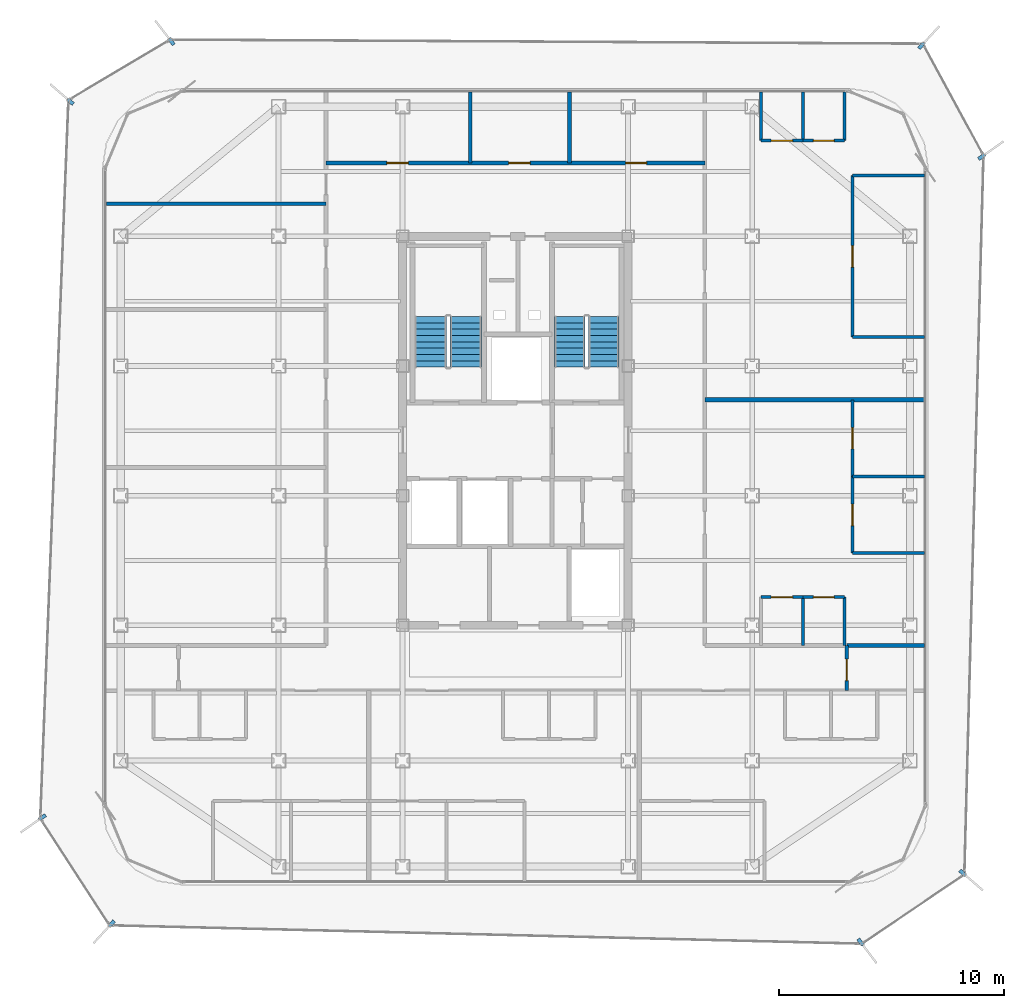
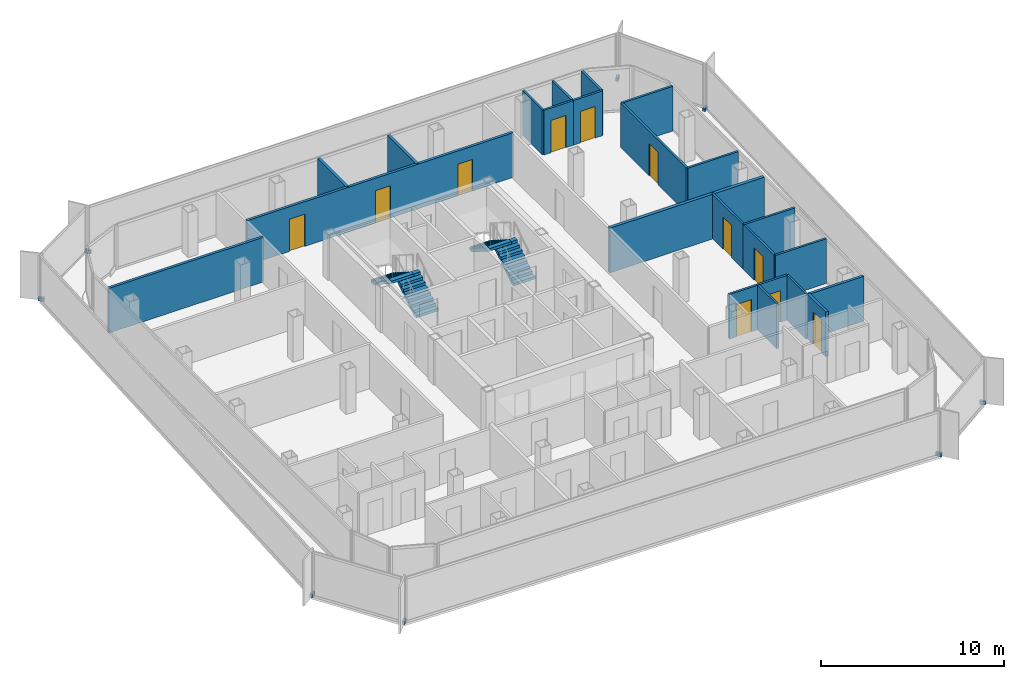
# One storey, part 12 of 15: 23 walls, 11 doors, 8 discrete accessories, 4 stair flights, 11 openings, 2 elements without a shape of their own.
"""IFC4 building model written with IfcOpenShell, lengths in metres."""

from ifc_helpers import new_model, si_unit, direction, frame, frame_2d, origin, origin_2d, place, context, subcontext, project, spatial, polyline, rectangle, outline, extrude, source, transform, mapped, material, layer, layer_set, type_object, element, fill, aggregate, save


model = new_model("IFC4")

# Units and contexts
model_context = context("Model", 3, precision=1e-05, world=origin(), true_north=direction((0.0, 1.0)))
body_context = subcontext(model_context, "Body", "Model", "MODEL_VIEW")
ifc_project = project(units=[si_unit("LENGTHUNIT", "METRE"), si_unit("AREAUNIT", "SQUARE_METRE"), si_unit("VOLUMEUNIT", "CUBIC_METRE"), si_unit("PLANEANGLEUNIT", "RADIAN"), si_unit("MASSUNIT", "GRAM", prefix="KILO")], contexts=[model_context])

# Site, building, storey
site_placement = place(None, origin())
site = spatial("IfcSite", under=ifc_project, at=site_placement, CompositionType="ELEMENT")
building_placement = place(site_placement, origin())
building = spatial("IfcBuilding", under=site, at=building_placement, Name="Kolveth Station Tower", CompositionType="ELEMENT")
storey_placement = place(building_placement, frame((0.0, 0.0, 252.10009765625)))
storey = spatial("IfcBuildingStorey", under=building, at=storey_placement, Name="L72", CompositionType="ELEMENT", Elevation=252.10009765625)

# Wall, opening, door
ifc_material_1 = material(Name="Moisture-resistant gypsum partition")
ifc_layer_1 = layer(ifc_material_1, 0.135009765625)
ifc_layer_set_1 = layer_set([ifc_layer_1], Name="Moisture-resistant gypsum partition")
wall_type_1 = type_object("IfcWallType", Name="Wall_IW-135", PredefinedType="PARTITIONING", material=ifc_layer_set_1)
wall_1_placement = place(storey_placement, frame((34.39990234375, 12.75, 0.0), z_axis=(0.0, 0.0, 1.0), x_axis=(1.0, 0.0, 0.0)))
wall_1 = element("IfcWall", 1, at=wall_1_placement, inside=storey, type_object=wall_type_1, Name="L72 Partition Wall WL-L72-E1-IBHK", PredefinedType="PARTITIONING", context=body_context, shape_type="SweptSolid", body=[
    extrude(rectangle(XDim=1.85009765625, YDim=0.135009765625, at=frame_2d((0.925048828125, 0.0))), origin(), (0.0, 0.0, 1.0), 2.97998046875),
])
opening_1_placement = place(wall_1_placement, frame((0.445068359375, 0.0, 0.0)))
opening_1 = element("IfcOpeningElement", 2, at=opening_1_placement, cuts=wall_1, Name="Opening ID1", PredefinedType="OPENING", context=body_context, shape_type="SweptSolid", body=[
    extrude(rectangle(XDim=0.949951171875, YDim=2.14990234375, at=frame_2d((0.47509765625, 1.074951171875))), frame((0.0, 0.077392578125, 0.0), z_axis=(0.0, -1.0, 0.0), x_axis=(1.0, 0.0, 0.0)), (0.0, 0.0, 1.0), 0.155029296875),
])
ifc_material_2 = material(Name="Acoustic hardwood leaf and aluminium frame", Category="wood")
door_type_1 = type_object("IfcDoorType", Name="Door_ID1", OperationType="NOTDEFINED", PredefinedType="DOOR", material=ifc_material_2)
door_1_placement = place(opening_1_placement, origin())
door_1 = element("IfcDoor", 3, at=door_1_placement, inside=storey, type_object=door_type_1, Name="Penthouse Flat L72-E1 Kitchen Door", OperationType="SINGLE_SWING_RIGHT", OverallHeight=2.14990234375, OverallWidth=0.949951171875, PredefinedType="DOOR", context=body_context, shape_type="SweptSolid", body=[
    extrude(rectangle(XDim=0.949951171875, YDim=2.14990234375, at=frame_2d((0.47509765625, 1.074951171875))), frame((0.0, 0.02490234375, 0.0), z_axis=(0.0, -1.0, 0.0), x_axis=(1.0, 0.0, 0.0)), (0.0, 0.0, 1.0), 0.050048828125),
])
fill(opening_1, door_1)

wall_2_placement = place(storey_placement, frame((36.25, 12.75, 0.0), z_axis=(0.0, 0.0, 1.0), x_axis=(1.0, 0.0, 0.0)))
wall_2 = element("IfcWall", 4, at=wall_2_placement, inside=storey, type_object=wall_type_1, Name="L72 Partition Wall WL-L72-E1-IBHB", PredefinedType="PARTITIONING", context=body_context, shape_type="SweptSolid", body=[
    extrude(rectangle(XDim=1.85009765625, YDim=0.135009765625, at=frame_2d((0.925048828125, 0.0))), origin(), (0.0, 0.0, 1.0), 2.97998046875),
])
opening_2_placement = place(wall_2_placement, frame((0.465087890625, 0.0, 0.0)))
opening_2 = element("IfcOpeningElement", 5, at=opening_2_placement, cuts=wall_2, Name="Opening ID2", PredefinedType="OPENING", context=body_context, shape_type="SweptSolid", body=[
    extrude(rectangle(XDim=0.919921875, YDim=2.10009765625, at=frame_2d((0.4599609375, 1.050048828125))), frame((0.0, 0.077392578125, 0.0), z_axis=(0.0, -1.0, 0.0), x_axis=(1.0, 0.0, 0.0)), (0.0, 0.0, 1.0), 0.155029296875),
])
ifc_material_3 = material(Name="Moisture-resistant hardwood leaf", Category="wood")
door_type_2 = type_object("IfcDoorType", Name="Door_ID2", OperationType="NOTDEFINED", PredefinedType="DOOR", material=ifc_material_3)
door_2_placement = place(opening_2_placement, origin())
door_2 = element("IfcDoor", 6, at=door_2_placement, inside=storey, type_object=door_type_2, Name="Penthouse Flat L72-E1 Bathroom Door", OperationType="SINGLE_SWING_LEFT", OverallHeight=2.10009765625, OverallWidth=0.919921875, PredefinedType="DOOR", context=body_context, shape_type="SweptSolid", body=[
    extrude(rectangle(XDim=0.919921875, YDim=2.10009765625, at=frame_2d((0.4599609375, 1.050048828125))), frame((0.0, 0.02490234375, 0.0), z_axis=(0.0, -1.0, 0.0), x_axis=(1.0, 0.0, 0.0)), (0.0, 0.0, 1.0), 0.050048828125),
])
fill(opening_2, door_2)

# Walls
for number, where, z_axis, x_axis, name in (
    (7, (36.25, 10.60009765625, 0.0), (0.0, 0.0, 1.0), (0.0, 1.0, 0.0), "L72 Partition Wall WL-L72-E1-IBV1"),
    (8, (38.10009765625, 10.60009765625, 0.0), (0.0, 0.0, 1.0), (0.0, 1.0, 0.0), "L72 Partition Wall WL-L72-E1-IBV2"),
):
    element("IfcWall", number, at=place(storey_placement, frame(where, z_axis=z_axis, x_axis=x_axis)), inside=storey, type_object=wall_type_1, Name=name, PredefinedType="PARTITIONING", context=body_context, shape_type="SweptSolid", body=[
        extrude(rectangle(XDim=2.14990234375, YDim=0.135009765625, at=frame_2d((1.074951171875, 0.0))), origin(), (0.0, 0.0, 1.0), 2.97998046875),
    ])
wall_3_placement = place(storey_placement, frame((38.449951171875, 14.699951171875, 0.0), z_axis=(0.0, 0.0, 1.0), x_axis=(1.0, 0.0, 0.0)))
element("IfcWall", 9, at=wall_3_placement, inside=storey, type_object=wall_type_1, Name="L72 Partition Wall WL-L72-E1-BDH0", PredefinedType="PARTITIONING", context=body_context, shape_type="SweptSolid", body=[
    extrude(rectangle(XDim=3.18994140625, YDim=0.135009765625, at=frame_2d((1.594970703125, 0.0))), origin(), (0.0, 0.0, 1.0), 2.97998046875),
])

# Wall, opening, door
wall_4_placement = place(storey_placement, frame((38.449951171875, 14.699951171875, 0.0), z_axis=(0.0, 0.0, 1.0), x_axis=(0.0, 1.0, 0.0)))
wall_4 = element("IfcWall", 10, at=wall_4_placement, inside=storey, type_object=wall_type_1, Name="L72 Partition Wall WL-L72-E1-BDV1", PredefinedType="PARTITIONING", context=body_context, shape_type="SweptSolid", body=[
    extrude(rectangle(XDim=3.400146484375, YDim=0.135009765625, at=frame_2d((1.7001953125, 0.0))), origin(), (0.0, 0.0, 1.0), 2.97998046875),
])
opening_3_placement = place(wall_4_placement, frame((1.219970703125, 0.0, 0.0)))
opening_3 = element("IfcOpeningElement", 11, at=opening_3_placement, cuts=wall_4, Name="Opening ID1", PredefinedType="OPENING", context=body_context, shape_type="SweptSolid", body=[
    extrude(rectangle(XDim=0.949951171875, YDim=2.14990234375, at=frame_2d((0.47509765625, 1.074951171875))), frame((0.0, 0.077392578125, 0.0), z_axis=(0.0, -1.0, 0.0), x_axis=(1.0, 0.0, 0.0)), (0.0, 0.0, 1.0), 0.155029296875),
])
door_3_placement = place(opening_3_placement, frame((0.949951171875, 0.0, 0.0), z_axis=(0.0, 0.0, 1.0), x_axis=(-1.0, 0.0, 0.0)))
door_3 = element("IfcDoor", 12, at=door_3_placement, inside=storey, type_object=door_type_1, Name="Penthouse Flat L72-E1 Bedroom 1 Door", OperationType="SINGLE_SWING_RIGHT", OverallHeight=2.14990234375, OverallWidth=0.949951171875, PredefinedType="DOOR", context=body_context, shape_type="SweptSolid", body=[
    extrude(rectangle(XDim=0.949951171875, YDim=2.14990234375, at=frame_2d((0.47509765625, 1.074951171875))), frame((0.0, 0.02490234375, 0.0), z_axis=(0.0, -1.0, 0.0), x_axis=(1.0, 0.0, 0.0)), (0.0, 0.0, 1.0), 0.050048828125),
])
fill(opening_3, door_3)

wall_5_placement = place(storey_placement, frame((38.449951171875, 18.10009765625, 0.0), z_axis=(0.0, 0.0, 1.0), x_axis=(0.0, 1.0, 0.0)))
wall_5 = element("IfcWall", 13, at=wall_5_placement, inside=storey, type_object=wall_type_1, Name="L72 Partition Wall WL-L72-E1-BDV2", PredefinedType="PARTITIONING", context=body_context, shape_type="SweptSolid", body=[
    extrude(rectangle(XDim=3.39990234375, YDim=0.135009765625, at=frame_2d((1.699951171875, 0.0))), origin(), (0.0, 0.0, 1.0), 2.97998046875),
])
opening_4_placement = place(wall_5_placement, frame((1.219970703125, 0.0, 0.0)))
opening_4 = element("IfcOpeningElement", 14, at=opening_4_placement, cuts=wall_5, Name="Opening ID1", PredefinedType="OPENING", context=body_context, shape_type="SweptSolid", body=[
    extrude(rectangle(XDim=0.949951171875, YDim=2.14990234375, at=frame_2d((0.47509765625, 1.074951171875))), frame((0.0, 0.077392578125, 0.0), z_axis=(0.0, -1.0, 0.0), x_axis=(1.0, 0.0, 0.0)), (0.0, 0.0, 1.0), 0.155029296875),
])
door_4_placement = place(opening_4_placement, frame((0.949951171875, 0.0, 0.0), z_axis=(0.0, 0.0, 1.0), x_axis=(-1.0, 0.0, 0.0)))
door_4 = element("IfcDoor", 15, at=door_4_placement, inside=storey, type_object=door_type_1, Name="Penthouse Flat L72-E1 Bedroom 2 Door", OperationType="SINGLE_SWING_LEFT", OverallHeight=2.14990234375, OverallWidth=0.949951171875, PredefinedType="DOOR", context=body_context, shape_type="SweptSolid", body=[
    extrude(rectangle(XDim=0.949951171875, YDim=2.14990234375, at=frame_2d((0.47509765625, 1.074951171875))), frame((0.0, 0.02490234375, 0.0), z_axis=(0.0, -1.0, 0.0), x_axis=(1.0, 0.0, 0.0)), (0.0, 0.0, 1.0), 0.050048828125),
])
fill(opening_4, door_4)

# Wall
wall_6_placement = place(storey_placement, frame((38.449951171875, 18.10009765625, 0.0), z_axis=(0.0, 0.0, 1.0), x_axis=(1.0, 0.0, 0.0)))
element("IfcWall", 16, at=wall_6_placement, inside=storey, type_object=wall_type_1, Name="L72 Partition Wall WL-L72-E1-BDH1", PredefinedType="PARTITIONING", context=body_context, shape_type="SweptSolid", body=[
    extrude(rectangle(XDim=3.18994140625, YDim=0.135009765625, at=frame_2d((1.594970703125, 0.0))), origin(), (0.0, 0.0, 1.0), 2.97998046875),
])

# Wall, opening, door
wall_7_placement = place(storey_placement, frame((34.39990234375, 32.989990234375, 0.0), z_axis=(0.0, 0.0, 1.0), x_axis=(1.0, 0.0, 0.0)))
wall_7 = element("IfcWall", 17, at=wall_7_placement, inside=storey, type_object=wall_type_1, Name="L72 Partition Wall WL-L72-E2-IBHK", PredefinedType="PARTITIONING", context=body_context, shape_type="SweptSolid", body=[
    extrude(rectangle(XDim=1.85009765625, YDim=0.135009765625, at=frame_2d((0.925048828125, 0.0))), origin(), (0.0, 0.0, 1.0), 2.97998046875),
])
opening_5_placement = place(wall_7_placement, frame((0.445068359375, 0.0, 0.0)))
opening_5 = element("IfcOpeningElement", 18, at=opening_5_placement, cuts=wall_7, Name="Opening ID1", PredefinedType="OPENING", context=body_context, shape_type="SweptSolid", body=[
    extrude(rectangle(XDim=0.949951171875, YDim=2.14990234375, at=frame_2d((0.47509765625, 1.074951171875))), frame((0.0, 0.077392578125, 0.0), z_axis=(0.0, -1.0, 0.0), x_axis=(1.0, 0.0, 0.0)), (0.0, 0.0, 1.0), 0.155029296875),
])
door_5_placement = place(opening_5_placement, frame((0.949951171875, 0.0, 0.0), z_axis=(0.0, 0.0, 1.0), x_axis=(-1.0, 0.0, 0.0)))
door_5 = element("IfcDoor", 19, at=door_5_placement, inside=storey, type_object=door_type_1, Name="Penthouse Flat L72-E2 Kitchen Door", OperationType="SINGLE_SWING_LEFT", OverallHeight=2.14990234375, OverallWidth=0.949951171875, PredefinedType="DOOR", context=body_context, shape_type="SweptSolid", body=[
    extrude(rectangle(XDim=0.949951171875, YDim=2.14990234375, at=frame_2d((0.47509765625, 1.074951171875))), frame((0.0, 0.02490234375, 0.0), z_axis=(0.0, -1.0, 0.0), x_axis=(1.0, 0.0, 0.0)), (0.0, 0.0, 1.0), 0.050048828125),
])
fill(opening_5, door_5)

wall_8_placement = place(storey_placement, frame((36.25, 32.989990234375, 0.0), z_axis=(0.0, 0.0, 1.0), x_axis=(1.0, 0.0, 0.0)))
wall_8 = element("IfcWall", 20, at=wall_8_placement, inside=storey, type_object=wall_type_1, Name="L72 Partition Wall WL-L72-E2-IBHB", PredefinedType="PARTITIONING", context=body_context, shape_type="SweptSolid", body=[
    extrude(rectangle(XDim=1.85009765625, YDim=0.135009765625, at=frame_2d((0.925048828125, 0.0))), origin(), (0.0, 0.0, 1.0), 2.97998046875),
])
opening_6_placement = place(wall_8_placement, frame((0.465087890625, 0.0, 0.0)))
opening_6 = element("IfcOpeningElement", 21, at=opening_6_placement, cuts=wall_8, Name="Opening ID2", PredefinedType="OPENING", context=body_context, shape_type="SweptSolid", body=[
    extrude(rectangle(XDim=0.919921875, YDim=2.10009765625, at=frame_2d((0.4599609375, 1.050048828125))), frame((0.0, 0.077392578125, 0.0), z_axis=(0.0, -1.0, 0.0), x_axis=(1.0, 0.0, 0.0)), (0.0, 0.0, 1.0), 0.155029296875),
])
door_6_placement = place(opening_6_placement, frame((0.919921875, 0.0, 0.0), z_axis=(0.0, 0.0, 1.0), x_axis=(-1.0, 0.0, 0.0)))
door_6 = element("IfcDoor", 22, at=door_6_placement, inside=storey, type_object=door_type_2, Name="Penthouse Flat L72-E2 Bathroom Door", OperationType="SINGLE_SWING_RIGHT", OverallHeight=2.10009765625, OverallWidth=0.919921875, PredefinedType="DOOR", context=body_context, shape_type="SweptSolid", body=[
    extrude(rectangle(XDim=0.919921875, YDim=2.10009765625, at=frame_2d((0.4599609375, 1.050048828125))), frame((0.0, 0.02490234375, 0.0), z_axis=(0.0, -1.0, 0.0), x_axis=(1.0, 0.0, 0.0)), (0.0, 0.0, 1.0), 0.050048828125),
])
fill(opening_6, door_6)

# Walls
for number, where, z_axis, x_axis, name in (
    (23, (34.39990234375, 32.989990234375, 0.0), (0.0, 0.0, 1.0), (0.0, 1.0, 0.0), "L72 Partition Wall WL-L72-E2-IBV0"),
    (24, (36.25, 32.989990234375, 0.0), (0.0, 0.0, 1.0), (0.0, 1.0, 0.0), "L72 Partition Wall WL-L72-E2-IBV1"),
    (25, (38.10009765625, 32.989990234375, 0.0), (0.0, 0.0, 1.0), (0.0, 1.0, 0.0), "L72 Partition Wall WL-L72-E2-IBV2"),
):
    element("IfcWall", number, at=place(storey_placement, frame(where, z_axis=z_axis, x_axis=x_axis)), inside=storey, type_object=wall_type_1, Name=name, PredefinedType="PARTITIONING", context=body_context, shape_type="SweptSolid", body=[
        extrude(rectangle(XDim=2.14990234375, YDim=0.135009765625, at=frame_2d((1.074951171875, 0.0))), origin(), (0.0, 0.0, 1.0), 2.97998046875),
    ])
for number, where, z_axis, x_axis, name in (
    (26, (38.449951171875, 24.285888671875, 0.0), (0.0, 0.0, 1.0), (1.0, 0.0, 0.0), "L72 Partition Wall WL-L72-E2-BDH0"),
    (27, (38.449951171875, 31.449951171875, 0.0), (0.0, 0.0, 1.0), (1.0, 0.0, 0.0), "L72 Partition Wall WL-L72-E2-BDHE"),
):
    element("IfcWall", number, at=place(storey_placement, frame(where, z_axis=z_axis, x_axis=x_axis)), inside=storey, type_object=wall_type_1, Name=name, PredefinedType="PARTITIONING", context=body_context, shape_type="SweptSolid", body=[
        extrude(rectangle(XDim=3.18994140625, YDim=0.135009765625, at=frame_2d((1.594970703125, 0.0))), origin(), (0.0, 0.0, 1.0), 2.97998046875),
    ])

# Wall, opening, door
wall_9_placement = place(storey_placement, frame((38.449951171875, 24.285888671875, 0.0), z_axis=(0.0, 0.0, 1.0), x_axis=(0.0, 1.0, 0.0)))
wall_9 = element("IfcWall", 28, at=wall_9_placement, inside=storey, type_object=wall_type_1, Name="L72 Partition Wall WL-L72-E2-BDV1", PredefinedType="PARTITIONING", context=body_context, shape_type="SweptSolid", body=[
    extrude(rectangle(XDim=7.1640625, YDim=0.135009765625, at=frame_2d((3.58203125, 0.0))), origin(), (0.0, 0.0, 1.0), 2.97998046875),
])
opening_7_placement = place(wall_9_placement, frame((3.10205078125, 0.0, 0.0)))
opening_7 = element("IfcOpeningElement", 29, at=opening_7_placement, cuts=wall_9, Name="Opening ID1", PredefinedType="OPENING", context=body_context, shape_type="SweptSolid", body=[
    extrude(rectangle(XDim=0.949951171875, YDim=2.14990234375, at=frame_2d((0.47509765625, 1.074951171875))), frame((0.0, 0.077392578125, 0.0), z_axis=(0.0, -1.0, 0.0), x_axis=(1.0, 0.0, 0.0)), (0.0, 0.0, 1.0), 0.155029296875),
])
door_7_placement = place(opening_7_placement, frame((0.949951171875, 0.0, 0.0), z_axis=(0.0, 0.0, 1.0), x_axis=(-1.0, 0.0, 0.0)))
door_7 = element("IfcDoor", 30, at=door_7_placement, inside=storey, type_object=door_type_1, Name="Penthouse Flat L72-E2 Bedroom 1 Door", OperationType="SINGLE_SWING_LEFT", OverallHeight=2.14990234375, OverallWidth=0.949951171875, PredefinedType="DOOR", context=body_context, shape_type="SweptSolid", body=[
    extrude(rectangle(XDim=0.949951171875, YDim=2.14990234375, at=frame_2d((0.47509765625, 1.074951171875))), frame((0.0, 0.02490234375, 0.0), z_axis=(0.0, -1.0, 0.0), x_axis=(1.0, 0.0, 0.0)), (0.0, 0.0, 1.0), 0.050048828125),
])
fill(opening_7, door_7)

ifc_material_4 = material(Name="Acoustic double-stud gypsum partition")
ifc_layer_2 = layer(ifc_material_4, 0.1650390625)
ifc_layer_set_2 = layer_set([ifc_layer_2], Name="Acoustic double-stud gypsum partition")
wall_type_2 = type_object("IfcWallType", Name="Wall_IW-165", PredefinedType="PARTITIONING", material=ifc_layer_set_2)
wall_10_placement = place(storey_placement, frame((38.199951171875, 8.60009765625, 0.0), z_axis=(0.0, 0.0, 1.0), x_axis=(0.0, 1.0, 0.0)))
wall_10 = element("IfcWall", 31, at=wall_10_placement, inside=storey, type_object=wall_type_2, Name="L72 Partition Wall WL-L72-RSEE", PredefinedType="PARTITIONING", context=body_context, shape_type="SweptSolid", body=[
    extrude(rectangle(XDim=2.0, YDim=0.1650390625, at=frame_2d((1.0, 0.0))), origin(), (0.0, 0.0, 1.0), 2.97998046875),
])
opening_8_placement = place(wall_10_placement, frame((0.449951171875, 0.0, 0.0)))
opening_8 = element("IfcOpeningElement", 32, at=opening_8_placement, cuts=wall_10, Name="Opening ID1", PredefinedType="OPENING", context=body_context, shape_type="SweptSolid", body=[
    extrude(rectangle(XDim=0.949951171875, YDim=2.14990234375, at=frame_2d((0.47509765625, 1.074951171875))), frame((0.0, 0.092529296875, 0.0), z_axis=(0.0, -1.0, 0.0), x_axis=(1.0, 0.0, 0.0)), (0.0, 0.0, 1.0), 0.18505859375),
])
door_8_placement = place(opening_8_placement, origin())
door_8 = element("IfcDoor", 33, at=door_8_placement, inside=storey, type_object=door_type_1, Name="L72 Hobby Study Door", OperationType="SINGLE_SWING_LEFT", OverallHeight=2.14990234375, OverallWidth=0.949951171875, PredefinedType="DOOR", context=body_context, shape_type="SweptSolid", body=[
    extrude(rectangle(XDim=0.949951171875, YDim=2.14990234375, at=frame_2d((0.47509765625, 1.074951171875))), frame((0.0, 0.02490234375, 0.0), z_axis=(0.0, -1.0, 0.0), x_axis=(1.0, 0.0, 0.0)), (0.0, 0.0, 1.0), 0.050048828125),
])
fill(opening_8, door_8)

# Wall, openings, doors
wall_11_placement = place(storey_placement, frame((15.10009765625, 32.0, 0.0), z_axis=(0.0, 0.0, 1.0), x_axis=(1.0, 0.0, 0.0)))
wall_11 = element("IfcWall", 34, at=wall_11_placement, inside=storey, type_object=wall_type_2, Name="L72 Partition Wall WL-L72-RN", PredefinedType="PARTITIONING", context=body_context, shape_type="SweptSolid", body=[
    extrude(rectangle(XDim=16.7998046875, YDim=0.1650390625, at=frame_2d((8.39990234375, 0.0))), origin(), (0.0, 0.0, 1.0), 2.97998046875),
])
opening_9_placement = place(wall_11_placement, frame((2.699951171875, 0.0, 0.0)))
opening_9 = element("IfcOpeningElement", 35, at=opening_9_placement, cuts=wall_11, Name="Opening ID1", PredefinedType="OPENING", context=body_context, shape_type="SweptSolid", body=[
    extrude(rectangle(XDim=0.949951171875, YDim=2.14990234375, at=frame_2d((0.47509765625, 1.074951171875))), frame((0.0, 0.092529296875, 0.0), z_axis=(0.0, -1.0, 0.0), x_axis=(1.0, 0.0, 0.0)), (0.0, 0.0, 1.0), 0.18505859375),
])
opening_10_placement = place(wall_11_placement, frame((8.10009765625, 0.0, 0.0)))
opening_10 = element("IfcOpeningElement", 36, at=opening_10_placement, cuts=wall_11, Name="Opening ID1", PredefinedType="OPENING", context=body_context, shape_type="SweptSolid", body=[
    extrude(rectangle(XDim=0.949951171875, YDim=2.14990234375, at=frame_2d((0.47509765625, 1.074951171875))), frame((0.0, 0.092529296875, 0.0), z_axis=(0.0, -1.0, 0.0), x_axis=(1.0, 0.0, 0.0)), (0.0, 0.0, 1.0), 0.18505859375),
])
opening_11_placement = place(wall_11_placement, frame((13.300048828125, 0.0, 0.0)))
opening_11 = element("IfcOpeningElement", 37, at=opening_11_placement, cuts=wall_11, Name="Opening ID2", PredefinedType="OPENING", context=body_context, shape_type="SweptSolid", body=[
    extrude(rectangle(XDim=0.919921875, YDim=2.10009765625, at=frame_2d((0.4599609375, 1.050048828125))), frame((0.0, 0.092529296875, 0.0), z_axis=(0.0, -1.0, 0.0), x_axis=(1.0, 0.0, 0.0)), (0.0, 0.0, 1.0), 0.18505859375),
])
door_9_placement = place(opening_9_placement, origin())
door_9 = element("IfcDoor", 38, at=door_9_placement, inside=storey, type_object=door_type_1, Name="L72 Quiet Study 1 Door", OperationType="SINGLE_SWING_LEFT", OverallHeight=2.14990234375, OverallWidth=0.949951171875, PredefinedType="DOOR", context=body_context, shape_type="SweptSolid", body=[
    extrude(rectangle(XDim=0.949951171875, YDim=2.14990234375, at=frame_2d((0.47509765625, 1.074951171875))), frame((0.0, 0.02490234375, 0.0), z_axis=(0.0, -1.0, 0.0), x_axis=(1.0, 0.0, 0.0)), (0.0, 0.0, 1.0), 0.050048828125),
])
fill(opening_9, door_9)
door_10_placement = place(opening_10_placement, origin())
door_10 = element("IfcDoor", 39, at=door_10_placement, inside=storey, type_object=door_type_1, Name="L72 Quiet Study 2 Door", OperationType="SINGLE_SWING_RIGHT", OverallHeight=2.14990234375, OverallWidth=0.949951171875, PredefinedType="DOOR", context=body_context, shape_type="SweptSolid", body=[
    extrude(rectangle(XDim=0.949951171875, YDim=2.14990234375, at=frame_2d((0.47509765625, 1.074951171875))), frame((0.0, 0.02490234375, 0.0), z_axis=(0.0, -1.0, 0.0), x_axis=(1.0, 0.0, 0.0)), (0.0, 0.0, 1.0), 0.050048828125),
])
fill(opening_10, door_10)
door_11_placement = place(opening_11_placement, origin())
door_11 = element("IfcDoor", 40, at=door_11_placement, inside=storey, type_object=door_type_2, Name="L72 Accessible Residents' WC Door", OperationType="SINGLE_SWING_LEFT", OverallHeight=2.10009765625, OverallWidth=0.919921875, PredefinedType="DOOR", context=body_context, shape_type="SweptSolid", body=[
    extrude(rectangle(XDim=0.919921875, YDim=2.10009765625, at=frame_2d((0.4599609375, 1.050048828125))), frame((0.0, 0.02490234375, 0.0), z_axis=(0.0, -1.0, 0.0), x_axis=(1.0, 0.0, 0.0)), (0.0, 0.0, 1.0), 0.050048828125),
])
fill(opening_11, door_11)

# Walls
wall_12_placement = place(storey_placement, frame((38.199951171875, 10.60009765625, 0.0), z_axis=(0.0, 0.0, 1.0), x_axis=(1.0, 0.0, 0.0)))
element("IfcWall", 41, at=wall_12_placement, inside=storey, type_object=wall_type_2, Name="L72 Partition Wall WL-L72-ESTN", PredefinedType="PARTITIONING", context=body_context, shape_type="SweptSolid", body=[
    extrude(rectangle(XDim=3.43994140625, YDim=0.1650390625, at=frame_2d((1.719970703125, 0.0))), origin(), (0.0, 0.0, 1.0), 2.97998046875),
])
wall_13_placement = place(storey_placement, frame((5.360107421875, 30.199951171875, 0.0), z_axis=(0.0, 0.0, 1.0), x_axis=(1.0, 0.0, 0.0)))
element("IfcWall", 42, at=wall_13_placement, inside=storey, type_object=wall_type_2, Name="L72 Partition Wall WL-L72-RWA-P3", PredefinedType="PARTITIONING", context=body_context, shape_type="SweptSolid", body=[
    extrude(rectangle(XDim=9.739990234375, YDim=0.1650390625, at=frame_2d((4.8701171875, 0.0))), origin(), (0.0, 0.0, 1.0), 2.97998046875),
])
for number, where, z_axis, x_axis, name in (
    (43, (21.5, 32.0, 0.0), (0.0, 0.0, 1.0), (0.0, 1.0, 0.0), "L72 Partition Wall WL-L72-RN-P1"),
    (44, (25.89990234375, 32.0, 0.0), (0.0, 0.0, 1.0), (0.0, 1.0, 0.0), "L72 Partition Wall WL-L72-RN-P2"),
):
    element("IfcWall", number, at=place(storey_placement, frame(where, z_axis=z_axis, x_axis=x_axis)), inside=storey, type_object=wall_type_2, Name=name, PredefinedType="PARTITIONING", context=body_context, shape_type="SweptSolid", body=[
        extrude(rectangle(XDim=3.139892578125, YDim=0.1650390625, at=frame_2d((1.56982421875, 0.0))), origin(), (0.0, 0.0, 1.0), 2.97998046875),
    ])
ifc_material_5 = material(Name="Acoustic fire-rated gypsum blockwork", Category="masonry")
ifc_layer_3 = layer(ifc_material_5, 0.199951171875)
ifc_layer_set_3 = layer_set([ifc_layer_3], Name="Acoustic fire-rated gypsum blockwork")
wall_type_3 = type_object("IfcWallType", Name="Wall_IW-200", PredefinedType="PARTITIONING", material=ifc_layer_set_3)
wall_14_placement = place(storey_placement, frame((31.89990234375, 21.5, 0.0), z_axis=(0.0, 0.0, 1.0), x_axis=(1.0, 0.0, 0.0)))
element("IfcWall", 45, at=wall_14_placement, inside=storey, type_object=wall_type_3, Name="L72 Partition Wall WL-L72-REU-1", PredefinedType="PARTITIONING", context=body_context, shape_type="SweptSolid", body=[
    extrude(rectangle(XDim=9.739990234375, YDim=0.199951171875, at=frame_2d((4.8701171875, 0.0))), origin(), (0.0, 0.0, 1.0), 2.97998046875),
])

# Stair, stair flights
ifc_material_6 = material(Name="Concrete C40/50", Category="concrete")
stair_type_1 = type_object("IfcStairType", Name="Stair_ST1", PredefinedType="HALF_TURN_STAIR", material=ifc_material_6)
stair_1_placement = place(storey_placement, origin())
stair_1 = element("IfcStair", 46, at=stair_1_placement, inside=storey, type_object=stair_type_1, Name="L72 Tower Exit Stair ST1", PredefinedType="HALF_TURN_STAIR")
ifc_layer_4 = layer(ifc_material_6, 0.179931640625)
ifc_layer_set_4 = layer_set([ifc_layer_4], Name="Concrete C40/50")
stair_flight_type_1 = type_object("IfcStairFlightType", Name="Flight_ST1", PredefinedType="STRAIGHT", material=ifc_layer_set_4)
stair_flight_1_placement = place(storey_placement, frame((21.300048828125, 22.949951171875, 0.0), z_axis=(0.0, 0.0, 1.0), x_axis=(0.0, 1.0, 0.0)))
stair_flight_1 = element("IfcStairFlight", 47, at=stair_flight_1_placement, type_object=stair_flight_type_1, Name="ST1 flight 1", NumberOfRisers=9, NumberOfTreads=8, PredefinedType="STRAIGHT", RiserHeight=0.177777778, TreadLength=0.28, context=body_context, shape_type="SweptSolid", body=[
    extrude(outline(polyline([(0.0, 0.0), (0.0, 0.177734375), (0.280029296875, 0.177734375), (0.280029296875, 0.35546875), (0.56005859375, 0.35546875), (0.56005859375, 0.533447265625), (0.840087890625, 0.533447265625), (0.840087890625, 0.711181640625), (1.1201171875, 0.711181640625), (1.1201171875, 0.888916015625), (1.39990234375, 0.888916015625), (1.39990234375, 1.066650390625), (1.679931640625, 1.066650390625), (1.679931640625, 1.244384765625), (1.9599609375, 1.244384765625), (1.9599609375, 1.422119140625), (2.239990234375, 1.422119140625), (2.239990234375, 1.60009765625), (2.239990234375, 1.24462890625), (0.27978515625, 0.0), (0.0, 0.0)])), frame((0.0, 0.699951171875, 0.0), z_axis=(0.0, -1.0, 0.0), x_axis=(1.0, 0.0, 0.0)), (0.0, 0.0, 1.0), 1.39990234375),
])
stair_flight_2_placement = place(storey_placement, frame((19.739990234375, 25.18994140625, 1.599853515625), z_axis=(0.0, 0.0, 1.0), x_axis=(0.0, -1.0, 0.0)))
stair_flight_2 = element("IfcStairFlight", 48, at=stair_flight_2_placement, type_object=stair_flight_type_1, Name="ST1 flight 2", NumberOfRisers=9, NumberOfTreads=8, PredefinedType="STRAIGHT", RiserHeight=0.177777778, TreadLength=0.28, context=body_context, shape_type="SweptSolid", body=[
    extrude(outline(polyline([(0.0, 0.0), (0.0, 0.177734375), (0.280029296875, 0.177734375), (0.280029296875, 0.35546875), (0.56005859375, 0.35546875), (0.56005859375, 0.533447265625), (0.840087890625, 0.533447265625), (0.840087890625, 0.711181640625), (1.1201171875, 0.711181640625), (1.1201171875, 0.888916015625), (1.39990234375, 0.888916015625), (1.39990234375, 1.066650390625), (1.679931640625, 1.066650390625), (1.679931640625, 1.244384765625), (1.9599609375, 1.244384765625), (1.9599609375, 1.422119140625), (2.239990234375, 1.422119140625), (2.239990234375, 1.60009765625), (2.239990234375, 1.24462890625), (0.27978515625, 0.0), (0.0, 0.0)])), frame((0.0, 0.699951171875, 0.0), z_axis=(0.0, -1.0, 0.0), x_axis=(1.0, 0.0, 0.0)), (0.0, 0.0, 1.0), 1.39990234375),
])
aggregate(stair_1, [stair_flight_1, stair_flight_2])

stair_type_2 = type_object("IfcStairType", Name="Stair_ST2", PredefinedType="HALF_TURN_STAIR", material=ifc_material_6)
stair_2_placement = place(storey_placement, origin())
stair_2 = element("IfcStair", 49, at=stair_2_placement, inside=storey, type_object=stair_type_2, Name="L72 Tower Exit Stair ST2", PredefinedType="HALF_TURN_STAIR")
ifc_layer_5 = layer(ifc_material_6, 0.179931640625)
ifc_layer_set_5 = layer_set([ifc_layer_5], Name="Concrete C40/50")
stair_flight_type_2 = type_object("IfcStairFlightType", Name="Flight_ST2", PredefinedType="STRAIGHT", material=ifc_layer_set_5)
stair_flight_3_placement = place(storey_placement, frame((27.425048828125, 22.949951171875, 0.0), z_axis=(0.0, 0.0, 1.0), x_axis=(0.0, 1.0, 0.0)))
stair_flight_3 = element("IfcStairFlight", 50, at=stair_flight_3_placement, type_object=stair_flight_type_2, Name="ST2 flight 1", NumberOfRisers=9, NumberOfTreads=8, PredefinedType="STRAIGHT", RiserHeight=0.177777778, TreadLength=0.28, context=body_context, shape_type="SweptSolid", body=[
    extrude(outline(polyline([(0.0, 0.0), (0.0, 0.177734375), (0.280029296875, 0.177734375), (0.280029296875, 0.35546875), (0.56005859375, 0.35546875), (0.56005859375, 0.533447265625), (0.840087890625, 0.533447265625), (0.840087890625, 0.711181640625), (1.1201171875, 0.711181640625), (1.1201171875, 0.888916015625), (1.39990234375, 0.888916015625), (1.39990234375, 1.066650390625), (1.679931640625, 1.066650390625), (1.679931640625, 1.244384765625), (1.9599609375, 1.244384765625), (1.9599609375, 1.422119140625), (2.239990234375, 1.422119140625), (2.239990234375, 1.60009765625), (2.239990234375, 1.24462890625), (0.27978515625, 0.0), (0.0, 0.0)])), frame((0.0, 0.675048828125, 0.0), z_axis=(0.0, -1.0, 0.0), x_axis=(1.0, 0.0, 0.0)), (0.0, 0.0, 1.0), 1.35009765625),
])
stair_flight_4_placement = place(storey_placement, frame((25.9150390625, 25.18994140625, 1.599853515625), z_axis=(0.0, 0.0, 1.0), x_axis=(0.0, -1.0, 0.0)))
stair_flight_4 = element("IfcStairFlight", 51, at=stair_flight_4_placement, type_object=stair_flight_type_2, Name="ST2 flight 2", NumberOfRisers=9, NumberOfTreads=8, PredefinedType="STRAIGHT", RiserHeight=0.177777778, TreadLength=0.28, context=body_context, shape_type="SweptSolid", body=[
    extrude(outline(polyline([(0.0, 0.0), (0.0, 0.177734375), (0.280029296875, 0.177734375), (0.280029296875, 0.35546875), (0.56005859375, 0.35546875), (0.56005859375, 0.533447265625), (0.840087890625, 0.533447265625), (0.840087890625, 0.711181640625), (1.1201171875, 0.711181640625), (1.1201171875, 0.888916015625), (1.39990234375, 0.888916015625), (1.39990234375, 1.066650390625), (1.679931640625, 1.066650390625), (1.679931640625, 1.244384765625), (1.9599609375, 1.244384765625), (1.9599609375, 1.422119140625), (2.239990234375, 1.422119140625), (2.239990234375, 1.60009765625), (2.239990234375, 1.24462890625), (0.27978515625, 0.0), (0.0, 0.0)])), frame((0.0, 0.675048828125, 0.0), z_axis=(0.0, -1.0, 0.0), x_axis=(1.0, 0.0, 0.0)), (0.0, 0.0, 1.0), 1.35009765625),
])
aggregate(stair_2, [stair_flight_3, stair_flight_4])

# Discrete accessories
ifc_material_7 = material(Name="Steel S355", Category="steel")
discrete_accessory_type = type_object("IfcDiscreteAccessoryType", Name="Bracket_BK1", PredefinedType="BRACKET", material=ifc_material_7)
shared_shape = source(origin(), body_context, "Body", "SweptSolid", [
    extrude(rectangle(XDim=0.35009765625, YDim=0.159912109375, at=origin_2d()), origin(), (0.0, 0.0, 1.0), 0.219970703125),
])
for number, where, z_axis, x_axis, name in (
    (52, (38.81005859375, -2.549072265625, -0.06005859375), (0.0, 0.0, 1.0), (0.604042884784, -0.796951813689, 0.0), "L72 Double-Skin Radial Tie Bracket 1"),
    (53, (43.343994140625, 0.511962890625, -0.06005859375), (0.0, 0.0, 1.0), (0.756766922719, -0.653684805299, 0.0), "L72 Double-Skin Radial Tie Bracket 2"),
    (54, (44.18505859375, 32.278076171875, -0.06005859375), (0.0, 0.0, 1.0), (0.816440043737, 0.577430216549, 0.0), "L72 Double-Skin Radial Tie Bracket 3"),
    (55, (41.512939453125, 37.2119140625, -0.06005859375), (0.0, 0.0, 1.0), (0.677389697402, 0.735624359204, 0.0), "L72 Double-Skin Radial Tie Bracket 4"),
    (56, (8.248046875, 37.385986328125, -0.06005859375), (0.0, 0.0, 1.0), (-0.611527040186, 0.791223532967, 0.0), "L72 Double-Skin Radial Tie Bracket 5"),
    (57, (3.762939453125, 34.72705078125, -0.06005859375), (0.0, 0.0, 1.0), (-0.75619618703, 0.654344960034, 0.0), "L72 Double-Skin Radial Tie Bracket 6"),
    (58, (2.52099609375, 2.98388671875, -0.06005859375), (0.0, 0.0, 1.0), (-0.819552276527, -0.573004420611, 0.0), "L72 Double-Skin Radial Tie Bracket 7"),
    (59, (5.5859375, -1.739013671875, -0.06005859375), (0.0, 0.0, 1.0), (-0.678672571739, -0.73444097133, 0.0), "L72 Double-Skin Radial Tie Bracket 8"),
):
    element("IfcDiscreteAccessory", number, at=place(storey_placement, frame(where, z_axis=z_axis, x_axis=x_axis)), inside=storey, type_object=discrete_accessory_type, Name=name, PredefinedType="BRACKET", context=body_context, shape_type="MappedRepresentation", body=[
        mapped(shared_shape, transform((0.0, 0.0, 0.0), x_axis=(1.0, 0.0, 0.0), y_axis=(0.0, 1.0, 0.0), z_axis=(0.0, 0.0, 1.0), scale=1.0)),
    ])

save(model, "model.ifc")
